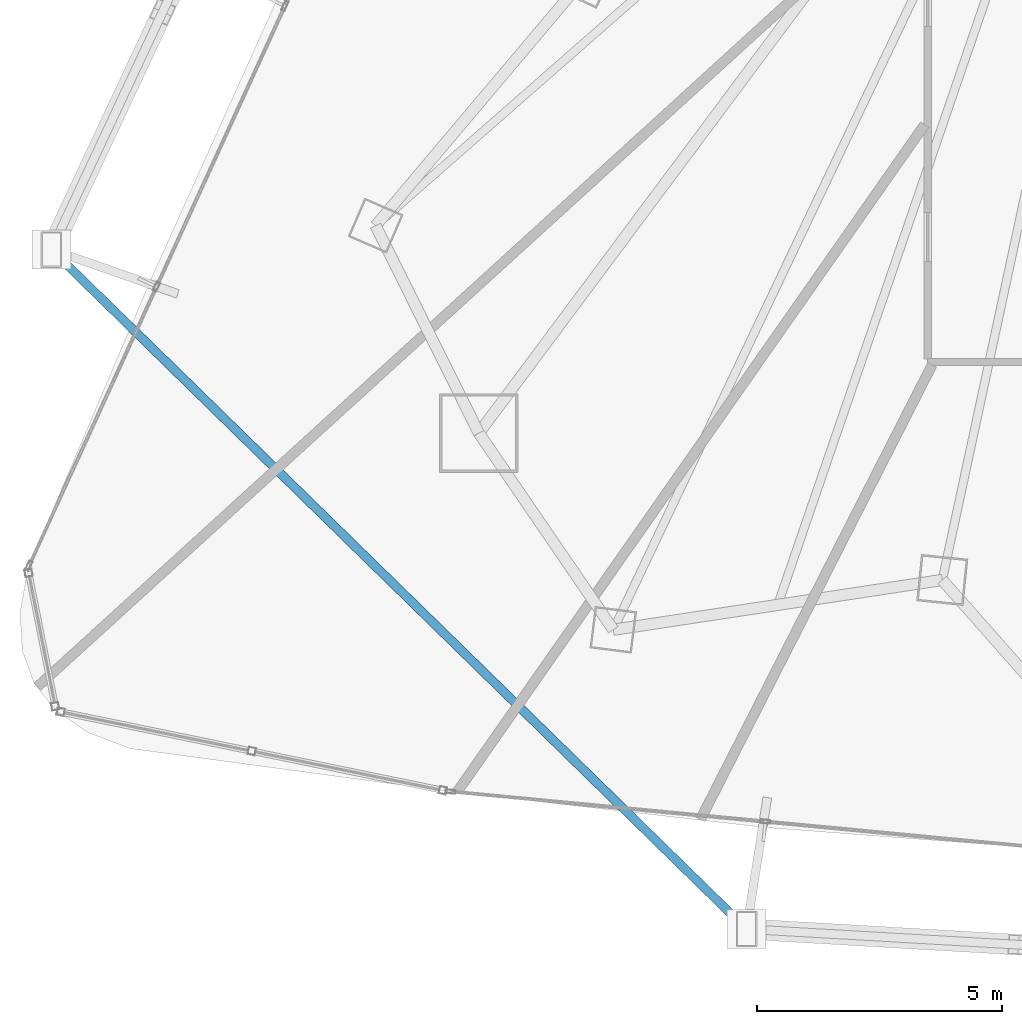
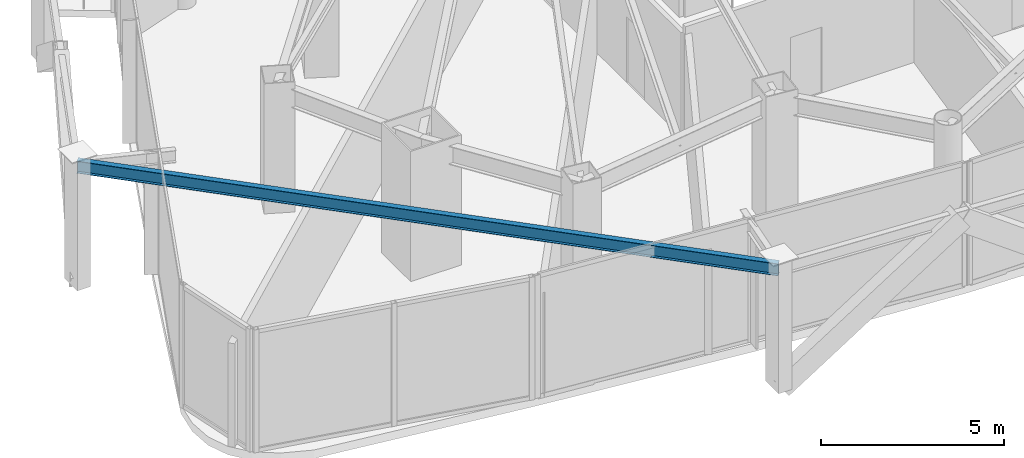
# One storey, part 3 of 33: 1 beam.
"""IFC4 building model written with IfcOpenShell, lengths in metres."""

from ifc_helpers import new_model, si_unit, direction, frame, origin, origin_2d, place, context, subcontext, project, spatial, i_section, extrude, material, material_profile, profile_set, type_object, element, save


model = new_model("IFC4")

# Units and contexts
model_context = context("Model", 3, precision=1e-05, world=origin(), true_north=direction((0.0, 1.0)))
body_context = subcontext(model_context, "Body", "Model", "MODEL_VIEW")
ifc_project = project(units=[si_unit("LENGTHUNIT", "METRE"), si_unit("AREAUNIT", "SQUARE_METRE"), si_unit("VOLUMEUNIT", "CUBIC_METRE"), si_unit("PLANEANGLEUNIT", "RADIAN"), si_unit("MASSUNIT", "GRAM", prefix="KILO")], contexts=[model_context])

# Site, building, storey
site_placement = place(None, origin())
site = spatial("IfcSite", under=ifc_project, at=site_placement, CompositionType="ELEMENT")
building_placement = place(site_placement, origin())
building = spatial("IfcBuilding", under=site, at=building_placement, Name="Orvanel Arch Residences", CompositionType="ELEMENT")
storey_placement = place(building_placement, frame((0.0, 0.0, 59.89990234375)))
storey = spatial("IfcBuildingStorey", under=building, at=storey_placement, Name="L16", CompositionType="ELEMENT", Elevation=59.89990234375)

# Beam
ifc_material = material(Name="Structural steel AS/NZS 3679.1 Grade 300 (300 MPa)", Category="steel")
ifc_material_profile = material_profile(ifc_material, i_section(OverallWidth=0.177978515625, OverallDepth=0.406005859375, WebThickness=0.0078125, FlangeThickness=0.0126953125, at=origin_2d()), Name="410UB59.7")
ifc_profile_set = profile_set([ifc_material_profile], Name="Structural steel AS/NZS 3679.1 Grade 300 (300 MPa)")
beam_type = type_object("IfcBeamType", Name="OB-410UB-EXT", PredefinedType="SPANDREL", material=ifc_profile_set)
beam_placement = place(storey_placement, frame((5.48291015625, 14.091064453125, 3.906982421875), z_axis=(0.715158517495, -0.698962298593, 0.0), x_axis=(0.698962298593, 0.715158517495, 0.0)))
element("IfcBeam", 1, at=beam_placement, inside=storey, type_object=beam_type, Name="L16 Outer Perimeter Floor Ring Beam 04", PredefinedType="SPANDREL", context=body_context, shape_type="SweptSolid", body=[
    extrude(i_section(OverallWidth=0.177978515625, OverallDepth=0.406005859375, WebThickness=0.0078125, FlangeThickness=0.0126953125, at=origin_2d()), origin(), (0.0, 0.0, 1.0), 19.822265625),
])

save(model, "model.ifc")
